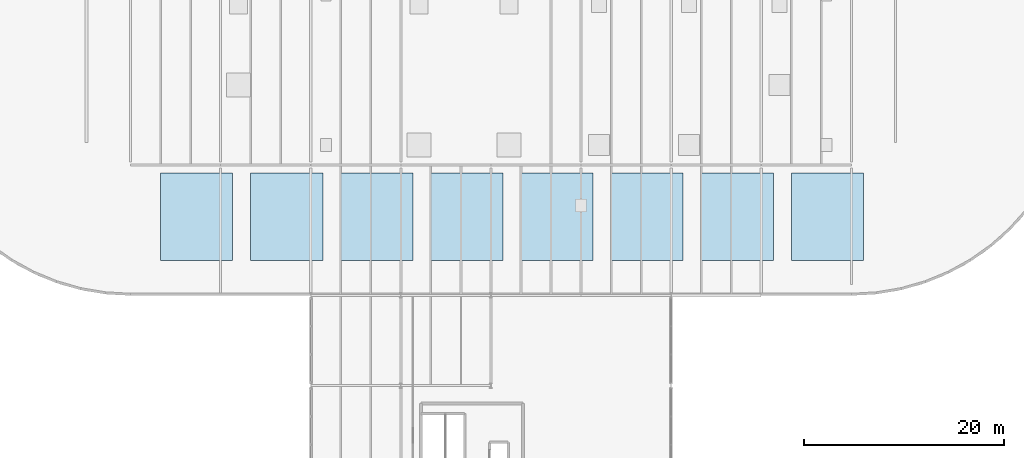
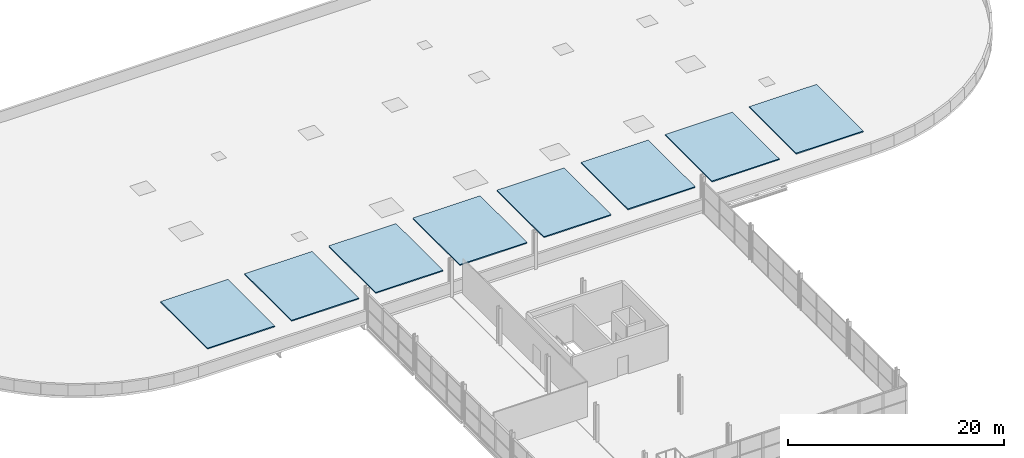
# One storey, part 58 of 59: 8 roofs.
"""IFC4 building model written with IfcOpenShell, lengths in metres."""

from ifc_helpers import new_model, si_unit, direction, frame, origin, place, context, subcontext, project, spatial, polyline, outline, extrude, material, layer, layer_set, type_object, element, save


model = new_model("IFC4")

# Units and contexts
model_context = context("Model", 3, precision=1e-05, world=origin(), true_north=direction((0.0, 1.0)))
body_context = subcontext(model_context, "Body", "Model", "MODEL_VIEW")
ifc_project = project(units=[si_unit("LENGTHUNIT", "METRE"), si_unit("AREAUNIT", "SQUARE_METRE"), si_unit("VOLUMEUNIT", "CUBIC_METRE"), si_unit("PLANEANGLEUNIT", "RADIAN"), si_unit("MASSUNIT", "GRAM", prefix="KILO")], contexts=[model_context])

# Site, building, storey
site_placement = place(None, origin())
site = spatial("IfcSite", under=ifc_project, at=site_placement, CompositionType="ELEMENT")
building_placement = place(site_placement, origin())
building = spatial("IfcBuilding", under=site, at=building_placement, Name="Deido Ridge Mobility Hub", CompositionType="ELEMENT")
storey_placement = place(building_placement, frame((0.0, 0.0, 21.0)))
storey = spatial("IfcBuildingStorey", under=building, at=storey_placement, Name="L05", CompositionType="ELEMENT", Elevation=21.0)

# Roofs
ifc_material = material(Name="Standing-seam aluminium roofing EN AW-3004", Category="aluminium")
ifc_layer = layer(ifc_material, 0.1201171875, Name="Standing-seam aluminium roofing EN AW-3004")
ifc_layer_set = layer_set([ifc_layer], Name="Standing-seam aluminium roofing EN AW-3004")
roof_type = type_object("IfcRoofType", Name="ROOF-DECK-FLAT", PredefinedType="FLAT_ROOF", material=ifc_layer_set)
roof_1_placement = place(storey_placement, frame((0.0, 0.0, 0.2451171875)))
element("IfcRoof", 1, at=roof_1_placement, inside=storey, type_object=roof_type, Name="Parking drum solar roof bay 1", PredefinedType="FLAT_ROOF", context=body_context, shape_type="SweptSolid", body=[
    extrude(outline(polyline([(48.0, 84.5), (55.199951171875, 84.5), (55.199951171875, 93.199951171875), (48.0, 93.199951171875), (48.0, 84.5)])), origin(), (0.0, 0.0, 1.0), 0.119873046875),
])
roof_2_placement = place(storey_placement, frame((0.0, 0.0, 0.2451171875)))
element("IfcRoof", 2, at=roof_2_placement, inside=storey, type_object=roof_type, Name="Parking drum solar roof bay 2", PredefinedType="FLAT_ROOF", context=body_context, shape_type="SweptSolid", body=[
    extrude(outline(polyline([(57.0, 84.5), (64.199951171875, 84.5), (64.199951171875, 93.199951171875), (57.0, 93.199951171875), (57.0, 84.5)])), origin(), (0.0, 0.0, 1.0), 0.119873046875),
])
roof_3_placement = place(storey_placement, frame((0.0, 0.0, 0.2451171875)))
element("IfcRoof", 3, at=roof_3_placement, inside=storey, type_object=roof_type, Name="Parking drum solar roof bay 3", PredefinedType="FLAT_ROOF", context=body_context, shape_type="SweptSolid", body=[
    extrude(outline(polyline([(66.0, 84.5), (73.199951171875, 84.5), (73.199951171875, 93.199951171875), (66.0, 93.199951171875), (66.0, 84.5)])), origin(), (0.0, 0.0, 1.0), 0.119873046875),
])
roof_4_placement = place(storey_placement, frame((0.0, 0.0, 0.2451171875)))
element("IfcRoof", 4, at=roof_4_placement, inside=storey, type_object=roof_type, Name="Parking drum solar roof bay 4", PredefinedType="FLAT_ROOF", context=body_context, shape_type="SweptSolid", body=[
    extrude(outline(polyline([(75.0, 84.5), (82.199951171875, 84.5), (82.199951171875, 93.199951171875), (75.0, 93.199951171875), (75.0, 84.5)])), origin(), (0.0, 0.0, 1.0), 0.119873046875),
])
roof_5_placement = place(storey_placement, frame((0.0, 0.0, 0.2451171875)))
element("IfcRoof", 5, at=roof_5_placement, inside=storey, type_object=roof_type, Name="Parking drum solar roof bay 5", PredefinedType="FLAT_ROOF", context=body_context, shape_type="SweptSolid", body=[
    extrude(outline(polyline([(84.0, 84.5), (91.199951171875, 84.5), (91.199951171875, 93.199951171875), (84.0, 93.199951171875), (84.0, 84.5)])), origin(), (0.0, 0.0, 1.0), 0.119873046875),
])
roof_6_placement = place(storey_placement, frame((0.0, 0.0, 0.2451171875)))
element("IfcRoof", 6, at=roof_6_placement, inside=storey, type_object=roof_type, Name="Parking drum solar roof bay 6", PredefinedType="FLAT_ROOF", context=body_context, shape_type="SweptSolid", body=[
    extrude(outline(polyline([(93.0, 84.5), (100.199951171875, 84.5), (100.199951171875, 93.199951171875), (93.0, 93.199951171875), (93.0, 84.5)])), origin(), (0.0, 0.0, 1.0), 0.119873046875),
])
roof_7_placement = place(storey_placement, frame((0.0, 0.0, 0.2451171875)))
element("IfcRoof", 7, at=roof_7_placement, inside=storey, type_object=roof_type, Name="Parking drum solar roof bay 7", PredefinedType="FLAT_ROOF", context=body_context, shape_type="SweptSolid", body=[
    extrude(outline(polyline([(102.0, 84.5), (109.199951171875, 84.5), (109.199951171875, 93.199951171875), (102.0, 93.199951171875), (102.0, 84.5)])), origin(), (0.0, 0.0, 1.0), 0.119873046875),
])
roof_8_placement = place(storey_placement, frame((0.0, 0.0, 0.2451171875)))
element("IfcRoof", 8, at=roof_8_placement, inside=storey, type_object=roof_type, Name="Parking drum solar roof bay 8", PredefinedType="FLAT_ROOF", context=body_context, shape_type="SweptSolid", body=[
    extrude(outline(polyline([(111.0, 84.5), (118.199951171875, 84.5), (118.199951171875, 93.199951171875), (111.0, 93.199951171875), (111.0, 84.5)])), origin(), (0.0, 0.0, 1.0), 0.119873046875),
])

save(model, "model.ifc")
